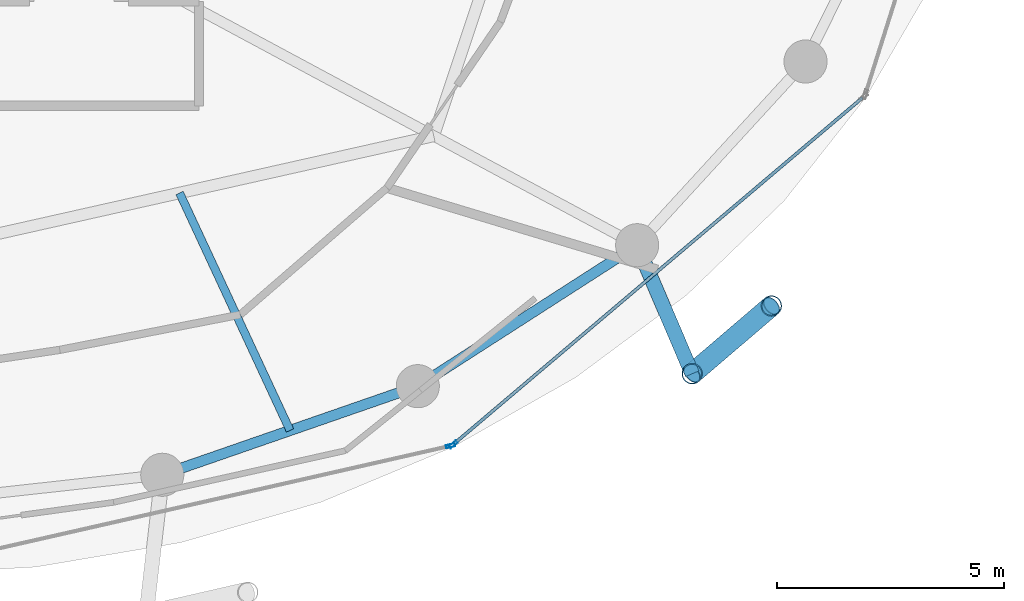
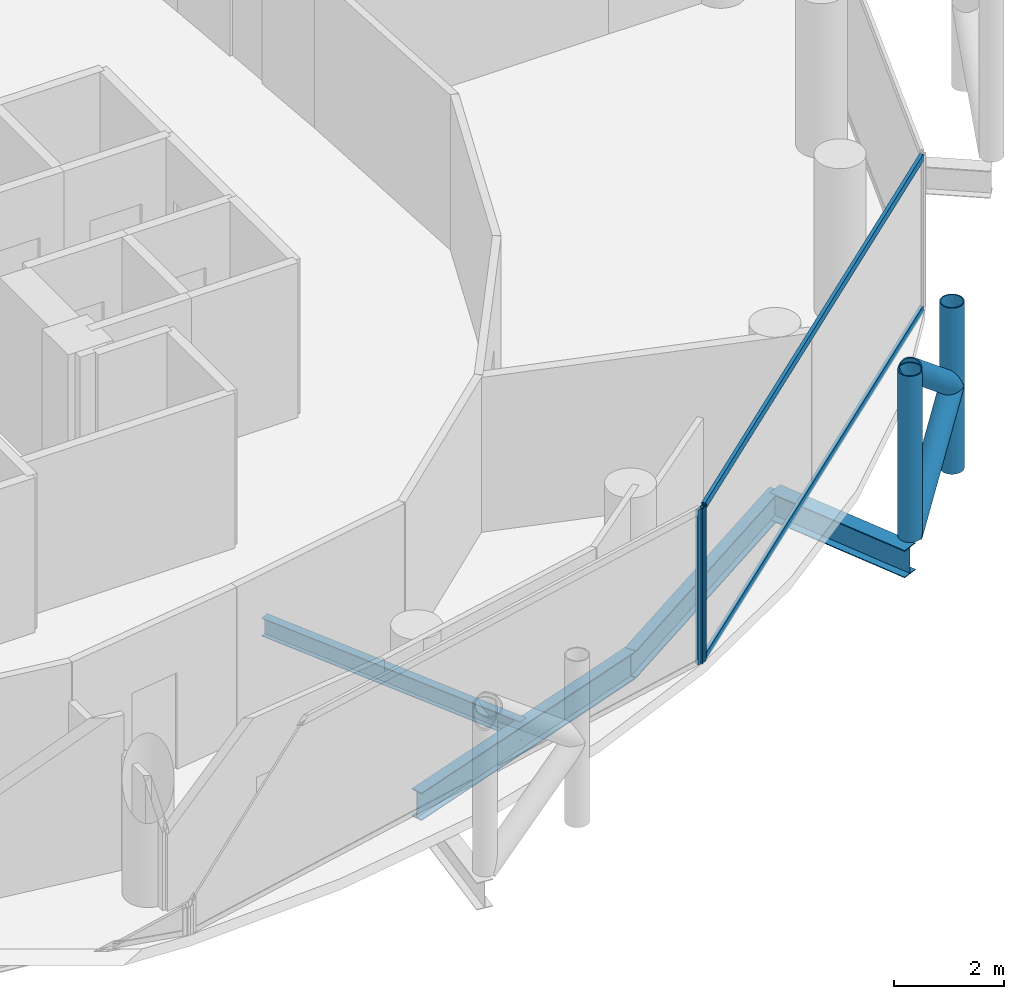
# One storey, part 8 of 26: 8 members, 4 beams, 2 elements without a shape of their own.
"""IFC4 building model written with IfcOpenShell, lengths in metres."""

from ifc_helpers import new_model, si_unit, direction, frame, origin, origin_2d, place, context, subcontext, project, spatial, hollow_rectangle, hollow_circle, i_section, extrude, material, layer, layer_set, material_profile, profile_set, type_object, element, aggregate, save


model = new_model("IFC4")

# Units and contexts
model_context = context("Model", 3, precision=1e-05, world=origin(), true_north=direction((0.0, 1.0)))
body_context = subcontext(model_context, "Body", "Model", "MODEL_VIEW")
ifc_project = project(units=[si_unit("LENGTHUNIT", "METRE"), si_unit("AREAUNIT", "SQUARE_METRE"), si_unit("VOLUMEUNIT", "CUBIC_METRE"), si_unit("PLANEANGLEUNIT", "RADIAN"), si_unit("MASSUNIT", "GRAM", prefix="KILO")], contexts=[model_context])

# Site, building, storey
site_placement = place(None, origin())
site = spatial("IfcSite", under=ifc_project, at=site_placement, CompositionType="ELEMENT")
building_placement = place(site_placement, origin())
building = spatial("IfcBuilding", under=site, at=building_placement, Name="Nuhasar Tower", CompositionType="ELEMENT")
storey_placement = place(building_placement, frame((0.0, 0.0, 184.85009765625)))
storey = spatial("IfcBuildingStorey", under=building, at=storey_placement, Name="L45", CompositionType="ELEMENT", Elevation=184.85009765625)

# Beams
ifc_material_1 = material(Name="Steel S355", Category="steel")
ifc_material_profile_1 = material_profile(ifc_material_1, i_section(OverallWidth=0.177978515625, OverallDepth=0.406005859375, WebThickness=0.0078125, FlangeThickness=0.0126953125, at=origin_2d()), Name="W16X40")
ifc_profile_set_1 = profile_set([ifc_material_profile_1], Name="Steel S355")
beam_type_1 = type_object("IfcBeamType", Name="BM-JST-W16X40", PredefinedType="JOIST", material=ifc_profile_set_1)
beam_1_placement = place(storey_placement, frame((45.424072265625, 14.1279296875, -0.453125), z_axis=(0.421729941201, -0.906721487941, 0.0), x_axis=(0.906721487941, 0.421729941201, 0.0)))
element("IfcBeam", 1, at=beam_1_placement, inside=storey, type_object=beam_type_1, Name="L45 Secondary Floor Joist 02", PredefinedType="JOIST", context=body_context, shape_type="SweptSolid", body=[
    extrude(i_section(OverallWidth=0.177978515625, OverallDepth=0.406005859375, WebThickness=0.0078125, FlangeThickness=0.0126953125, at=origin_2d()), origin(), (0.0, 0.0, 1.0), 5.7734375),
])
ifc_material_profile_2 = material_profile(ifc_material_1, i_section(OverallWidth=0.22998046875, OverallDepth=0.616943359375, WebThickness=0.01318359375, FlangeThickness=0.022216796875, at=origin_2d()), Name="W24X94")
ifc_profile_set_2 = profile_set([ifc_material_profile_2], Name="Steel S355")
beam_type_2 = type_object("IfcBeamType", Name="BM-RING-W24X94", PredefinedType="SPANDREL", material=ifc_profile_set_2)
beam_2_placement = place(storey_placement, frame((45.04296875, 7.916015625, -0.55908203125), z_axis=(0.944814057608, 0.327607076458, 0.0), x_axis=(-0.327607076458, 0.944814057608, 0.0)))
element("IfcBeam", 2, at=beam_2_placement, inside=storey, type_object=beam_type_2, Name="L45 Perimeter Ring Spandrel 20", PredefinedType="SPANDREL", context=body_context, shape_type="SweptSolid", body=[
    extrude(i_section(OverallWidth=0.22998046875, OverallDepth=0.616943359375, WebThickness=0.01318359375, FlangeThickness=0.022216796875, at=origin_2d()), origin(), (0.0, 0.0, 1.0), 5.9609375),
])
beam_3_placement = place(storey_placement, frame((50.675048828125, 9.868896484375, -0.55908203125), z_axis=(0.841308170616, 0.540555789955, 0.0), x_axis=(-0.540555789955, 0.841308170616, 0.0)))
element("IfcBeam", 3, at=beam_3_placement, inside=storey, type_object=beam_type_2, Name="L45 Perimeter Ring Spandrel 21", PredefinedType="SPANDREL", context=body_context, shape_type="SweptSolid", body=[
    extrude(i_section(OverallWidth=0.22998046875, OverallDepth=0.616943359375, WebThickness=0.01318359375, FlangeThickness=0.022216796875, at=origin_2d()), origin(), (0.0, 0.0, 1.0), 5.748046875),
])
ifc_material_profile_3 = material_profile(ifc_material_1, i_section(OverallWidth=0.323974609375, OverallDepth=0.611083984375, WebThickness=0.0126953125, FlangeThickness=0.01904296875, at=origin_2d()), Name="W24X104")
ifc_profile_set_3 = profile_set([ifc_material_profile_3], Name="Steel S355")
beam_type_3 = type_object("IfcBeamType", Name="BM-TIE-W24X104", PredefinedType="BEAM", material=ifc_profile_set_3)
beam_4_placement = place(storey_placement, frame((55.510986328125, 12.97607421875, -0.55615234375), z_axis=(0.39330721304, -0.919407111225, 0.0), x_axis=(0.919407111225, 0.39330721304, 0.0)))
element("IfcBeam", 4, at=beam_4_placement, inside=storey, type_object=beam_type_3, Name="L45 Exoskeleton Node Tie Beam 11", PredefinedType="BEAM", context=body_context, shape_type="SweptSolid", body=[
    extrude(i_section(OverallWidth=0.323974609375, OverallDepth=0.611083984375, WebThickness=0.0126953125, FlangeThickness=0.01904296875, at=origin_2d()), origin(), (0.0, 0.0, 1.0), 3.081298828125),
])

# Curtain wall, member
ifc_material_2 = material(Name="Aluminium 6063-T6", Category="aluminium")
ifc_layer = layer(ifc_material_2, 0.199951171875)
ifc_layer_set = layer_set([ifc_layer], Name="Aluminium 6063-T6")
curtain_wall_type = type_object("IfcCurtainWallType", Name="CW-Z2-HTL", PredefinedType="NOTDEFINED", material=ifc_layer_set)
curtain_wall_1_placement = place(storey_placement, origin())
curtain_wall_1 = element("IfcCurtainWall", 5, at=curtain_wall_1_placement, inside=storey, type_object=curtain_wall_type, Name="L45 Unitised Curtain Wall 10", PredefinedType="NOTDEFINED")
ifc_material_profile_4 = material_profile(ifc_material_2, hollow_rectangle(XDim=0.070068359375, YDim=0.199951171875, WallThickness=0.0048828125, at=origin_2d()), Name="CWM-3")
ifc_profile_set_4 = profile_set([ifc_material_profile_4], Name="Aluminium 6063-T6")
member_type_1 = type_object("IfcMemberType", Name="CW-MUL-S3", PredefinedType="MULLION", material=ifc_profile_set_4)
member_1_placement = place(storey_placement, frame((51.395751953125, 8.55419921875, 0.0), z_axis=(0.0, 0.0, 1.0), x_axis=(-0.22139729566, 0.975183694221, 0.0)))
member_1 = element("IfcMember", 6, at=member_1_placement, type_object=member_type_1, Name="CW-Z2 mullion 2", PredefinedType="MULLION", context=body_context, shape_type="SweptSolid", body=[
    extrude(hollow_rectangle(XDim=0.070068359375, YDim=0.199951171875, WallThickness=0.0048828125, at=origin_2d()), origin(), (0.0, 0.0, 1.0), 3.449951171875),
])
aggregate(curtain_wall_1, [member_1])

# Curtain wall, members
curtain_wall_2_placement = place(storey_placement, origin())
curtain_wall_2 = element("IfcCurtainWall", 7, at=curtain_wall_2_placement, inside=storey, type_object=curtain_wall_type, Name="L45 Unitised Curtain Wall 11", PredefinedType="NOTDEFINED")
member_2_placement = place(storey_placement, frame((51.456787109375, 8.584716796875, 0.0), z_axis=(0.0, 0.0, 1.0), x_axis=(-0.646374438324, 0.763020370292, 0.0)))
member_2 = element("IfcMember", 8, at=member_2_placement, type_object=member_type_1, Name="CW-Z2 mullion 1", PredefinedType="MULLION", context=body_context, shape_type="SweptSolid", body=[
    extrude(hollow_rectangle(XDim=0.070068359375, YDim=0.199951171875, WallThickness=0.0048828125, at=origin_2d()), origin(), (0.0, 0.0, 1.0), 3.449951171875),
])
ifc_material_profile_5 = material_profile(ifc_material_2, hollow_rectangle(XDim=0.070068359375, YDim=0.159912109375, WallThickness=0.00439453125, at=origin_2d()), Name="CWT-3")
ifc_profile_set_5 = profile_set([ifc_material_profile_5], Name="Aluminium 6063-T6")
member_type_2 = type_object("IfcMemberType", Name="CW-TRN-S3", PredefinedType="USERDEFINED", material=ifc_profile_set_5)
member_3_placement = place(storey_placement, frame((51.4833984375, 8.607177734375, 0.034912109375), z_axis=(0.763013698099, 0.646382314511, 0.0), x_axis=(-0.646382314511, 0.763013698099, 0.0)))
member_3 = element("IfcMember", 9, at=member_3_placement, type_object=member_type_2, Name="CW-Z2 transom 1.1", ObjectType="TRANSOM", PredefinedType="USERDEFINED", context=body_context, shape_type="SweptSolid", body=[
    extrude(hollow_rectangle(XDim=0.070068359375, YDim=0.159912109375, WallThickness=0.00439453125, at=origin_2d()), origin(), (0.0, 0.0, 1.0), 11.78515625),
])
member_4_placement = place(storey_placement, frame((51.4833984375, 8.607177734375, 3.414794921875), z_axis=(0.763013698099, 0.646382314511, 0.0), x_axis=(-0.646382314511, 0.763013698099, 0.0)))
member_4 = element("IfcMember", 10, at=member_4_placement, type_object=member_type_2, Name="CW-Z2 transom 1.2", ObjectType="TRANSOM", PredefinedType="USERDEFINED", context=body_context, shape_type="SweptSolid", body=[
    extrude(hollow_rectangle(XDim=0.070068359375, YDim=0.159912109375, WallThickness=0.00439453125, at=origin_2d()), origin(), (0.0, 0.0, 1.0), 11.78515625),
])
aggregate(curtain_wall_2, [member_2, member_3, member_4])

# Members
ifc_material_3 = material(Name="Steel S460", Category="steel")
ifc_material_profile_6 = material_profile(ifc_material_3, hollow_circle(Radius=0.228515625, WallThickness=0.022216796875, at=origin_2d()), Name="HSS457X22.2")
ifc_profile_set_6 = profile_set([ifc_material_profile_6], Name="Steel S460")
member_type_3 = type_object("IfcMemberType", Name="EXO-BRONZE-457", PredefinedType="BRACE", material=ifc_profile_set_6)
for number, where, z_axis, x_axis, name in (
    (11, (56.722900390625, 10.14306640625, 0.0), (0.0, 0.0, 1.0), (1.0, 0.0, 0.0), "L45 Exoskeleton Chord Column EC-11A"),
    (12, (58.470947265625, 11.637939453125, 0.0), (0.0, 0.0, 1.0), (1.0, 0.0, 0.0), "L45 Exoskeleton Chord Column EC-11B"),
):
    element("IfcMember", number, at=place(storey_placement, frame(where, z_axis=z_axis, x_axis=x_axis)), inside=storey, type_object=member_type_3, Name=name, PredefinedType="BRACE", context=body_context, shape_type="SweptSolid", body=[
        extrude(hollow_circle(Radius=0.228515625, WallThickness=0.022216796875, at=origin_2d()), origin(), (0.0, 0.0, 1.0), 3.699951171875),
    ])
member_5_placement = place(storey_placement, frame((56.722900390625, 10.14306640625, 0.0), z_axis=(0.592225874743, 0.506452378638, 0.626717242029), x_axis=(-0.649925557156, 0.7599978751, 0.0)))
element("IfcMember", 13, at=member_5_placement, inside=storey, type_object=member_type_3, Name="L45 Bronze Diagrid Brace W1-11", PredefinedType="BRACE", context=body_context, shape_type="SweptSolid", body=[
    extrude(hollow_circle(Radius=0.228515625, WallThickness=0.022216796875, at=origin_2d()), origin(), (0.0, 0.0, 1.0), 2.95166015625),
])
member_6_placement = place(storey_placement, frame((58.470947265625, 11.637939453125, 1.849853515625), z_axis=(-0.592195175458, -0.506426125604, 0.626767463634), x_axis=(0.649925557156, -0.7599978751, 0.0)))
element("IfcMember", 14, at=member_6_placement, inside=storey, type_object=member_type_3, Name="L45 Bronze Diagrid Brace W2-11", PredefinedType="BRACE", context=body_context, shape_type="SweptSolid", body=[
    extrude(hollow_circle(Radius=0.228515625, WallThickness=0.022216796875, at=origin_2d()), origin(), (0.0, 0.0, 1.0), 2.951904296875),
])

save(model, "model.ifc")
